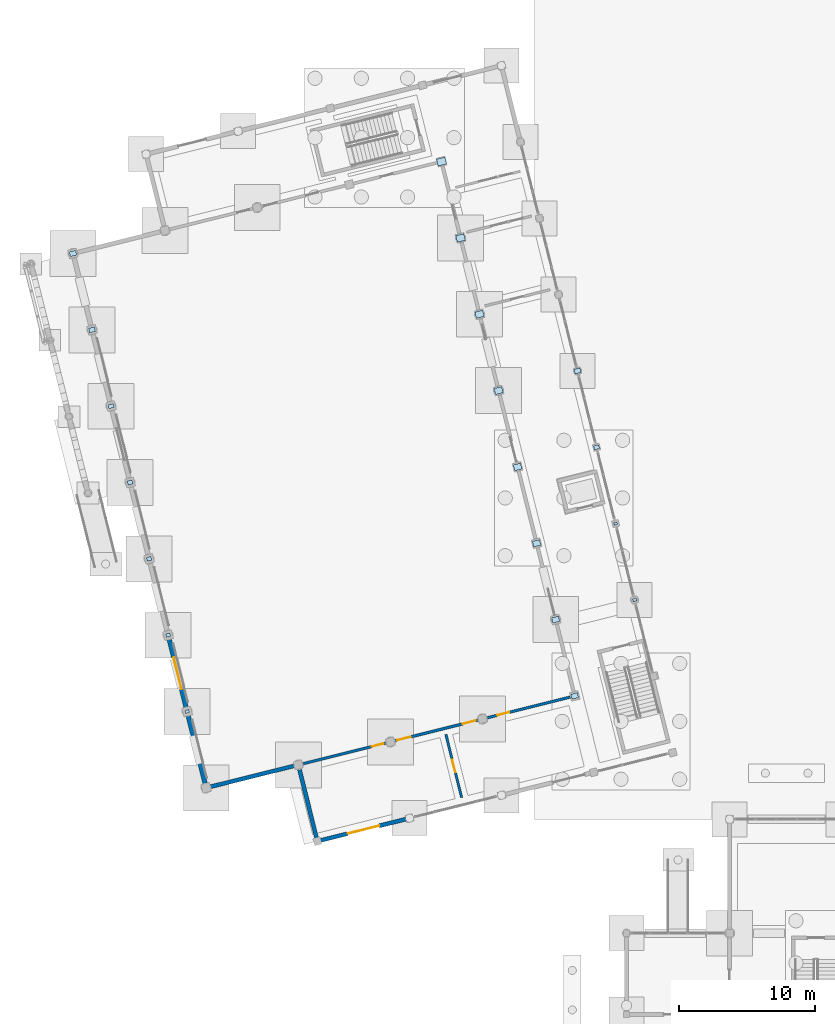
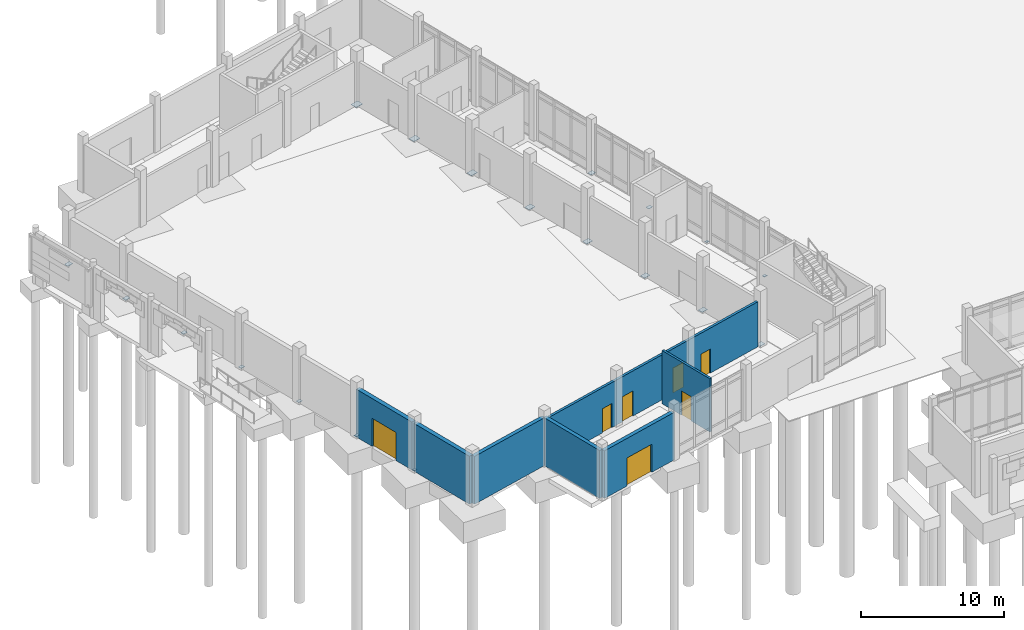
# One storey, part 41 of 72: 19 plates, 7 doors, 7 walls, 7 openings.
"""IFC4 building model written with IfcOpenShell, lengths in metres."""

import ifcopenshell
import ifcopenshell.guid

model = None  # the IFC model being written
_history = None  # IfcOwnerHistory: only IFC2X3 demands one
_inside = {}  # id of a spatial element -> (the spatial element, [elements in it])
_under = {}  # id of a project, library or spatial element -> (it, [spatial elements below it])
_declared = {}  # id of a project -> (the project, [libraries it declares])
_typed = {}  # id of a type object -> (the type object, [elements of that type])
_made_of = {}  # id of a material, layer set ... -> (it, [elements and type objects made of it])


def new_model(schema):
    """Start an empty IFC model of exactly this schema.

    Asked for "IFC4X3", IfcOpenShell would pick the latest addendum, in which some entities
    have other attributes; the version numbers below select the first issue.
    IFC2X3 requires an IfcOwnerHistory on every rooted entity: one is made here for all.
    """
    global model, _history
    if schema == "IFC4X3":
        model = ifcopenshell.file(schema_version=(4, 3, 0, 0))
    else:
        model = ifcopenshell.file(schema=schema)
    _inside.clear()
    _under.clear()
    _declared.clear()
    _typed.clear()
    _made_of.clear()
    _history = None
    if model.schema == "IFC2X3":
        org = make("IfcOrganization", Name="unknown")
        user = make(
            "IfcPersonAndOrganization",
            ThePerson=make("IfcPerson", FamilyName="unknown"),
            TheOrganization=org,
        )
        app = make(
            "IfcApplication",
            ApplicationDeveloper=org,
            Version="unknown",
            ApplicationFullName="unknown",
            ApplicationIdentifier="unknown",
        )
        _history = make(
            "IfcOwnerHistory",
            OwningUser=user,
            OwningApplication=app,
            ChangeAction="ADDED",
            CreationDate=0,
        )
    return model


def make(cls, **values):
    """One entity of the class cls with the attributes given. An attribute that is None is left unset."""
    return model.create_entity(
        cls, **{name: value for name, value in values.items() if value is not None}
    )


def rooted(cls, **values):
    """An entity with a GlobalId (a new one), such as an element, a storey or a relation."""
    return make(cls, GlobalId=ifcopenshell.guid.new(), OwnerHistory=_history, **values)


def si_unit(unit_type, name, prefix=None):
    """IfcSIUnit, for example si_unit("LENGTHUNIT", "METRE", prefix="MILLI")."""
    return make("IfcSIUnit", UnitType=unit_type, Prefix=prefix, Name=name)


def assignment(units):
    """IfcUnitAssignment: the units of a project."""
    return None if units is None else make("IfcUnitAssignment", Units=units)


def point(xyz):
    """IfcCartesianPoint."""
    return None if xyz is None else make("IfcCartesianPoint", Coordinates=xyz)


def direction(xyz):
    """IfcDirection."""
    return None if xyz is None else make("IfcDirection", DirectionRatios=xyz)


def frame(location, z_axis=None, x_axis=None):
    """IfcAxis2Placement3D, a coordinate frame: its origin and axes. An axis left out is left unset."""
    return make(
        "IfcAxis2Placement3D",
        Location=point(location),
        Axis=direction(z_axis),
        RefDirection=direction(x_axis),
    )


def frame_2d(location, x_axis=None):
    """IfcAxis2Placement2D, a coordinate frame in the plane: its origin and x axis."""
    return make(
        "IfcAxis2Placement2D", Location=point(location), RefDirection=direction(x_axis)
    )


def origin():
    """The frame at (0, 0, 0) with its axes left unset."""
    return frame((0.0, 0.0, 0.0))


def origin_2d():
    """The frame at (0, 0) in the plane with its x axis left unset."""
    return frame_2d((0.0, 0.0))


def place(relative_to, where):
    """IfcLocalPlacement: puts the frame where relative to a parent placement (None: the world)."""
    return make(
        "IfcLocalPlacement", PlacementRelTo=relative_to, RelativePlacement=where
    )


def context(
    kind, dimensions, precision=None, world=None, true_north=None, identifier=None
):
    """IfcGeometricRepresentationContext, for example the 3D "Model" context."""
    return make(
        "IfcGeometricRepresentationContext",
        ContextIdentifier=identifier,
        ContextType=kind,
        CoordinateSpaceDimension=dimensions,
        Precision=precision,
        WorldCoordinateSystem=world,
        TrueNorth=true_north,
    )


def subcontext(parent, identifier, kind, view, scale=None):
    """IfcGeometricRepresentationSubContext, for example "Body" below "Model"."""
    return make(
        "IfcGeometricRepresentationSubContext",
        ContextIdentifier=identifier,
        ContextType=kind,
        ParentContext=parent,
        TargetScale=scale,
        TargetView=view,
    )


def project(units=None, contexts=None):
    """IfcProject with its units and contexts."""
    return rooted(
        "IfcProject",
        Name="project",
        RepresentationContexts=contexts,
        UnitsInContext=assignment(units),
    )


def spatial(cls, under=None, at=None, **own):
    """A site, building, storey or space (cls), placed at a placement, below another one or the project."""
    s = rooted(cls, ObjectPlacement=at, **own)
    if under is not None:
        _under.setdefault(under.id(), (under, []))[1].append(s)
    return s


def profile(cls, at=None, kind="AREA", **sizes):
    """A parametric profile (cls). Its sizes go by their IFC names, for example OverallWidth=200.0."""
    return make(cls, ProfileType=kind, Position=at, **sizes)


def rectangle(**sizes):
    """IfcRectangleProfileDef."""
    return profile("IfcRectangleProfileDef", **sizes)


def extrude(swept, where, along, depth):
    """IfcExtrudedAreaSolid: the profile swept, set in the frame where, extruded along a direction by depth."""
    return make(
        "IfcExtrudedAreaSolid",
        SweptArea=swept,
        Position=where,
        ExtrudedDirection=direction(along),
        Depth=depth,
    )


def shape(context_of_items, identifier, shape_type, items):
    """IfcShapeRepresentation: the items that make up one representation, for example the "Body"."""
    return make(
        "IfcShapeRepresentation",
        ContextOfItems=context_of_items,
        RepresentationIdentifier=identifier,
        RepresentationType=shape_type,
        Items=items,
    )


def material(Name=None, Category=None):
    """IfcMaterial."""
    return make("IfcMaterial", Name=Name, Category=Category)


def layer(
    of_material, thickness, ventilated=None, Name=None, Category=None, Priority=None
):
    """IfcMaterialLayer: one layer of a wall or slab, of a material (None: an air gap)."""
    return make(
        "IfcMaterialLayer",
        Material=of_material,
        LayerThickness=thickness,
        IsVentilated=ventilated,
        Name=Name,
        Category=Category,
        Priority=Priority,
    )


def layer_set(layers, Name=None):
    """IfcMaterialLayerSet."""
    return make("IfcMaterialLayerSet", MaterialLayers=layers, LayerSetName=Name)


def made_of(thing, what):
    """Note that an element or type object is made of a material, layer set ...; save() writes the relation."""
    if what is not None:
        _made_of.setdefault(what.id(), (what, []))[1].append(thing)
    return thing


def type_object(cls, material=None, **own):
    """A type object (cls), such as IfcWallType, which elements share."""
    return made_of(rooted(cls, **own), material)


def element(
    cls,
    number,
    at=None,
    inside=None,
    cuts=None,
    type_object=None,
    material=None,
    context=None,
    identifier="Body",
    shape_type=None,
    held_by="IfcProductDefinitionShape",
    body=None,
    shapes=None,
    **own,
):
    """One element of the class cls, such as IfcWall. Its Tag is "e" and its number.

    at: its placement. inside: the storey or other place that contains it. cuts: it is an
    opening in that element (IfcRelVoidsElement). A single representation is given by context,
    identifier, shape_type and body (its items); several are given by shapes. held_by: the class
    of the entity that holds the representations. save() writes the other relations.
    """
    e = rooted(cls, Tag="e%d" % number, ObjectPlacement=at, **own)
    if body is not None:
        shapes = [shape(context, identifier, shape_type, body)]
    if shapes is not None:
        e.Representation = make(held_by, Representations=shapes)
    if inside is not None:
        _inside.setdefault(inside.id(), (inside, []))[1].append(e)
    if cuts is not None:
        rooted(
            "IfcRelVoidsElement", RelatingBuildingElement=cuts, RelatedOpeningElement=e
        )
    if type_object is not None:
        _typed.setdefault(type_object.id(), (type_object, []))[1].append(e)
    return made_of(e, material)


def fill(opening, filler):
    """IfcRelFillsElement: the door or window that sits in an opening."""
    return rooted(
        "IfcRelFillsElement",
        RelatingOpeningElement=opening,
        RelatedBuildingElement=filler,
    )


def aggregate(whole, parts):
    """IfcRelAggregates: a whole, such as a stair, and the parts it consists of."""
    return rooted("IfcRelAggregates", RelatingObject=whole, RelatedObjects=parts)


def save(model, path):
    """Write the relations noted so far, then the file.

    IfcRelAggregates (storeys below a building ...), IfcRelContainedInSpatialStructure (elements
    in a storey), IfcRelDefinesByType, IfcRelAssociatesMaterial and IfcRelDeclares: one each for
    every whole, place, type object, material and project.
    """
    for whole, parts in _under.values():
        aggregate(whole, parts)
    for where, things in _inside.values():
        rooted(
            "IfcRelContainedInSpatialStructure",
            RelatedElements=things,
            RelatingStructure=where,
        )
    for kind, things in _typed.values():
        rooted("IfcRelDefinesByType", RelatedObjects=things, RelatingType=kind)
    for what, things in _made_of.values():
        rooted("IfcRelAssociatesMaterial", RelatedObjects=things, RelatingMaterial=what)
    for by, libraries in _declared.values():
        rooted("IfcRelDeclares", RelatingContext=by, RelatedDefinitions=libraries)
    model.write(path)


model = new_model("IFC4")

# Units and contexts
model_context = context("Model", 3, precision=1e-05, world=origin(), true_north=direction((0.0, 1.0)))
body_context = subcontext(model_context, "Body", "Model", "MODEL_VIEW")
ifc_project = project(units=[si_unit("LENGTHUNIT", "METRE"), si_unit("AREAUNIT", "SQUARE_METRE"), si_unit("VOLUMEUNIT", "CUBIC_METRE"), si_unit("PLANEANGLEUNIT", "RADIAN"), si_unit("MASSUNIT", "GRAM", prefix="KILO")], contexts=[model_context])

# Site, building, storey
site_placement = place(None, origin())
site = spatial("IfcSite", under=ifc_project, at=site_placement, CompositionType="ELEMENT")
building_placement = place(site_placement, origin())
building = spatial("IfcBuilding", under=site, at=building_placement, Name="Cinderway Yard Community Centre", CompositionType="ELEMENT")
storey_placement = place(building_placement, origin())
storey = spatial("IfcBuildingStorey", under=building, at=storey_placement, Name="L00", CompositionType="ELEMENT", Elevation=0.0)

# Plates
ifc_material_1 = material(Name="Steel S355", Category="steel")
ifc_layer_1 = layer(ifc_material_1, 0.01611328125, Name="Steel S355")
ifc_layer_set_1 = layer_set([ifc_layer_1], Name="Steel S355")
plate_type_1 = type_object("IfcPlateType", Name="STR-PLT-BASE-01", PredefinedType="SHEET", material=ifc_layer_set_1)
plate_1_placement = place(storey_placement, frame((18.406005859375, 30.7451171875, 0.0068359375), z_axis=(0.0, 0.0, 1.0), x_axis=(0.970295726276, 0.2419218956, 0.0)))
element("IfcPlate", 1, at=plate_1_placement, inside=storey, type_object=plate_type_1, Name="Column base bearing plate 01", PredefinedType="SHEET", context=body_context, shape_type="SweptSolid", body=[
    extrude(rectangle(XDim=0.300048828125, YDim=0.239990234375, at=origin_2d()), origin(), (0.0, 0.0, 1.0), 0.01611328125),
])
ifc_layer_2 = layer(ifc_material_1, 0.01806640625, Name="Steel S355")
ifc_layer_set_2 = layer_set([ifc_layer_2], Name="Steel S355")
plate_type_2 = type_object("IfcPlateType", Name="STR-PLT-BASE-02", PredefinedType="SHEET", material=ifc_layer_set_2)
plate_2_placement = place(storey_placement, frame((17.0029296875, 36.3720703125, 0.005859375), z_axis=(0.0, 0.0, 1.0), x_axis=(0.970295726276, 0.2419218956, 0.0)))
element("IfcPlate", 2, at=plate_2_placement, inside=storey, type_object=plate_type_2, Name="Column base bearing plate 02", PredefinedType="SHEET", context=body_context, shape_type="SweptSolid", body=[
    extrude(rectangle(XDim=0.320068359375, YDim=0.260009765625, at=origin_2d()), origin(), (0.0, 0.0, 1.0), 0.01806640625),
])
ifc_layer_3 = layer(ifc_material_1, 0.02001953125, Name="Steel S355")
ifc_layer_set_3 = layer_set([ifc_layer_3], Name="Steel S355")
plate_type_3 = type_object("IfcPlateType", Name="STR-PLT-BASE-03", PredefinedType="SHEET", material=ifc_layer_set_3)
plate_3_placement = place(storey_placement, frame((15.60009765625, 42.0, 0.0048828125), z_axis=(0.0, 0.0, 1.0), x_axis=(0.970295726276, 0.2419218956, 0.0)))
element("IfcPlate", 3, at=plate_3_placement, inside=storey, type_object=plate_type_3, Name="Column base bearing plate 03", PredefinedType="SHEET", context=body_context, shape_type="SweptSolid", body=[
    extrude(rectangle(XDim=0.340087890625, YDim=0.280029296875, at=origin_2d()), origin(), (0.0, 0.0, 1.0), 0.02001953125),
])
ifc_layer_4 = layer(ifc_material_1, 0.02001953125, Name="Steel S355")
ifc_layer_set_4 = layer_set([ifc_layer_4], Name="Steel S355")
plate_type_4 = type_object("IfcPlateType", Name="STR-PLT-BASE-04", PredefinedType="SHEET", material=ifc_layer_set_4)
plate_4_placement = place(storey_placement, frame((14.197021484375, 47.6279296875, 0.0048828125), z_axis=(0.0, 0.0, 1.0), x_axis=(0.970295726276, 0.2419218956, 0.0)))
element("IfcPlate", 4, at=plate_4_placement, inside=storey, type_object=plate_type_4, Name="Column base bearing plate 04", PredefinedType="SHEET", context=body_context, shape_type="SweptSolid", body=[
    extrude(rectangle(XDim=0.360107421875, YDim=0.300048828125, at=origin_2d()), origin(), (0.0, 0.0, 1.0), 0.02001953125),
])
ifc_layer_5 = layer(ifc_material_1, 0.02197265625, Name="Steel S355")
ifc_layer_set_5 = layer_set([ifc_layer_5], Name="Steel S355")
plate_type_5 = type_object("IfcPlateType", Name="STR-PLT-BASE-05", PredefinedType="SHEET", material=ifc_layer_set_5)
plate_5_placement = place(storey_placement, frame((12.7939453125, 53.2548828125, 0.00390625), z_axis=(0.0, 0.0, 1.0), x_axis=(0.970295726276, 0.2419218956, 0.0)))
element("IfcPlate", 5, at=plate_5_placement, inside=storey, type_object=plate_type_5, Name="Column base bearing plate 05", PredefinedType="SHEET", context=body_context, shape_type="SweptSolid", body=[
    extrude(rectangle(XDim=0.39990234375, YDim=0.300048828125, at=origin_2d()), origin(), (0.0, 0.0, 1.0), 0.02197265625),
])
ifc_layer_6 = layer(ifc_material_1, 0.02392578125, Name="Steel S355")
ifc_layer_set_6 = layer_set([ifc_layer_6], Name="Steel S355")
plate_type_6 = type_object("IfcPlateType", Name="STR-PLT-BASE-06", PredefinedType="SHEET", material=ifc_layer_set_6)
plate_6_placement = place(storey_placement, frame((11.39111328125, 58.883056640625, 0.0029296875), z_axis=(0.0, 0.0, 1.0), x_axis=(0.970295726276, 0.2419218956, 0.0)))
element("IfcPlate", 6, at=plate_6_placement, inside=storey, type_object=plate_type_6, Name="Column base bearing plate 06", PredefinedType="SHEET", context=body_context, shape_type="SweptSolid", body=[
    extrude(rectangle(XDim=0.43994140625, YDim=0.340087890625, at=origin_2d()), origin(), (0.0, 0.0, 1.0), 0.02392578125),
])
ifc_layer_7 = layer(ifc_material_1, 0.02490234375, Name="Steel S355")
ifc_layer_set_7 = layer_set([ifc_layer_7], Name="Steel S355")
plate_type_7 = type_object("IfcPlateType", Name="STR-PLT-BASE-07", PredefinedType="SHEET", material=ifc_layer_set_7)
plate_7_placement = place(storey_placement, frame((9.987060546875, 64.510986328125, 0.00244140625), z_axis=(0.0, 0.0, 1.0), x_axis=(0.970295726276, 0.2419218956, 0.0)))
element("IfcPlate", 7, at=plate_7_placement, inside=storey, type_object=plate_type_7, Name="Column base bearing plate 07", PredefinedType="SHEET", context=body_context, shape_type="SweptSolid", body=[
    extrude(rectangle(XDim=0.47998046875, YDim=0.360107421875, at=origin_2d()), origin(), (0.0, 0.0, 1.0), 0.02490234375),
])
ifc_layer_8 = layer(ifc_material_1, 0.02587890625, Name="Steel S355")
ifc_layer_set_8 = layer_set([ifc_layer_8], Name="Steel S355")
plate_type_8 = type_object("IfcPlateType", Name="STR-PLT-BASE-08", PredefinedType="SHEET", material=ifc_layer_set_8)
plate_8_placement = place(storey_placement, frame((46.97802734375, 31.89111328125, 0.001953125), z_axis=(0.0, 0.0, 1.0), x_axis=(0.970295726276, 0.2419218956, 0.0)))
element("IfcPlate", 8, at=plate_8_placement, inside=storey, type_object=plate_type_8, Name="Column base bearing plate 08", PredefinedType="SHEET", context=body_context, shape_type="SweptSolid", body=[
    extrude(rectangle(XDim=0.5, YDim=0.3798828125, at=origin_2d()), origin(), (0.0, 0.0, 1.0), 0.02587890625),
])
ifc_layer_9 = layer(ifc_material_1, 0.028076171875, Name="Steel S355")
ifc_layer_set_9 = layer_set([ifc_layer_9], Name="Steel S355")
plate_type_9 = type_object("IfcPlateType", Name="STR-PLT-BASE-09", PredefinedType="SHEET", material=ifc_layer_set_9)
plate_9_placement = place(storey_placement, frame((45.574951171875, 37.51806640625, 0.0009765625), z_axis=(0.0, 0.0, 1.0), x_axis=(0.970295726276, 0.2419218956, 0.0)))
element("IfcPlate", 9, at=plate_9_placement, inside=storey, type_object=plate_type_9, Name="Column base bearing plate 09", PredefinedType="SHEET", context=body_context, shape_type="SweptSolid", body=[
    extrude(rectangle(XDim=0.52001953125, YDim=0.39990234375, at=origin_2d()), origin(), (0.0, 0.0, 1.0), 0.028076171875),
])
ifc_layer_10 = layer(ifc_material_1, 0.028076171875, Name="Steel S355")
ifc_layer_set_10 = layer_set([ifc_layer_10], Name="Steel S355")
plate_type_10 = type_object("IfcPlateType", Name="STR-PLT-BASE-10", PredefinedType="SHEET", material=ifc_layer_set_10)
plate_10_placement = place(storey_placement, frame((44.1708984375, 43.14599609375, 0.0009765625), z_axis=(0.0, 0.0, 1.0), x_axis=(0.970295726276, 0.2419218956, 0.0)))
element("IfcPlate", 10, at=plate_10_placement, inside=storey, type_object=plate_type_10, Name="Column base bearing plate 10", PredefinedType="SHEET", context=body_context, shape_type="SweptSolid", body=[
    extrude(rectangle(XDim=0.5400390625, YDim=0.419921875, at=origin_2d()), origin(), (0.0, 0.0, 1.0), 0.028076171875),
])
ifc_layer_11 = layer(ifc_material_1, 0.030029296875, Name="Steel S355")
ifc_layer_set_11 = layer_set([ifc_layer_11], Name="Steel S355")
plate_type_11 = type_object("IfcPlateType", Name="STR-PLT-BASE-11", PredefinedType="SHEET", material=ifc_layer_set_11)
plate_11_placement = place(storey_placement, frame((42.76806640625, 48.77392578125, 0.0), z_axis=(0.0, 0.0, 1.0), x_axis=(0.970295726276, 0.2419218956, 0.0)))
element("IfcPlate", 11, at=plate_11_placement, inside=storey, type_object=plate_type_11, Name="Column base bearing plate 11", PredefinedType="SHEET", context=body_context, shape_type="SweptSolid", body=[
    extrude(rectangle(XDim=0.56005859375, YDim=0.43994140625, at=origin_2d()), origin(), (0.0, 0.0, 1.0), 0.030029296875),
])
ifc_layer_12 = layer(ifc_material_1, 0.030029296875, Name="Steel S355")
ifc_layer_set_12 = layer_set([ifc_layer_12], Name="Steel S355")
plate_type_12 = type_object("IfcPlateType", Name="STR-PLT-BASE-12", PredefinedType="SHEET", material=ifc_layer_set_12)
plate_12_placement = place(storey_placement, frame((41.364990234375, 54.402099609375, 0.0), z_axis=(0.0, 0.0, 1.0), x_axis=(0.970295726276, 0.2419218956, 0.0)))
element("IfcPlate", 12, at=plate_12_placement, inside=storey, type_object=plate_type_12, Name="Column base bearing plate 12", PredefinedType="SHEET", context=body_context, shape_type="SweptSolid", body=[
    extrude(rectangle(XDim=0.580078125, YDim=0.4599609375, at=origin_2d()), origin(), (0.0, 0.0, 1.0), 0.030029296875),
])
ifc_layer_13 = layer(ifc_material_1, 0.031982421875, Name="Steel S355")
ifc_layer_set_13 = layer_set([ifc_layer_13], Name="Steel S355")
plate_type_13 = type_object("IfcPlateType", Name="STR-PLT-BASE-13", PredefinedType="SHEET", material=ifc_layer_set_13)
plate_13_placement = place(storey_placement, frame((39.9619140625, 60.029052734375, -0.0009765625), z_axis=(0.0, 0.0, 1.0), x_axis=(0.970295726276, 0.2419218956, 0.0)))
element("IfcPlate", 13, at=plate_13_placement, inside=storey, type_object=plate_type_13, Name="Column base bearing plate 13", PredefinedType="SHEET", context=body_context, shape_type="SweptSolid", body=[
    extrude(rectangle(XDim=0.60009765625, YDim=0.47998046875, at=origin_2d()), origin(), (0.0, 0.0, 1.0), 0.031982421875),
])
ifc_layer_14 = layer(ifc_material_1, 0.031982421875, Name="Steel S355")
ifc_layer_set_14 = layer_set([ifc_layer_14], Name="Steel S355")
plate_type_14 = type_object("IfcPlateType", Name="STR-PLT-BASE-14", PredefinedType="SHEET", material=ifc_layer_set_14)
plate_14_placement = place(storey_placement, frame((38.55908203125, 65.656982421875, -0.0009765625), z_axis=(0.0, 0.0, 1.0), x_axis=(0.970295726276, 0.2419218956, 0.0)))
element("IfcPlate", 14, at=plate_14_placement, inside=storey, type_object=plate_type_14, Name="Column base bearing plate 14", PredefinedType="SHEET", context=body_context, shape_type="SweptSolid", body=[
    extrude(rectangle(XDim=0.6201171875, YDim=0.5, at=origin_2d()), origin(), (0.0, 0.0, 1.0), 0.031982421875),
])
ifc_layer_15 = layer(ifc_material_1, 0.034912109375, Name="Steel S355")
ifc_layer_set_15 = layer_set([ifc_layer_15], Name="Steel S355")
plate_type_15 = type_object("IfcPlateType", Name="STR-PLT-BASE-15", PredefinedType="SHEET", material=ifc_layer_set_15)
plate_15_placement = place(storey_placement, frame((37.156005859375, 71.284912109375, -0.00244140625), z_axis=(0.0, 0.0, 1.0), x_axis=(0.970295726276, 0.2419218956, 0.0)))
element("IfcPlate", 15, at=plate_15_placement, inside=storey, type_object=plate_type_15, Name="Column base bearing plate 15", PredefinedType="SHEET", context=body_context, shape_type="SweptSolid", body=[
    extrude(rectangle(XDim=0.639892578125, YDim=0.52001953125, at=origin_2d()), origin(), (0.0, 0.0, 1.0), 0.034912109375),
])
ifc_layer_16 = layer(ifc_material_1, 0.01611328125, Name="Steel S355")
ifc_layer_set_16 = layer_set([ifc_layer_16], Name="Steel S355")
plate_type_16 = type_object("IfcPlateType", Name="STR-PLT-BASE-17", PredefinedType="SHEET", material=ifc_layer_set_16)
plate_16_placement = place(storey_placement, frame((51.39599609375, 38.969970703125, 0.0068359375), z_axis=(0.0, 0.0, 1.0), x_axis=(0.970295726276, 0.2419218956, 0.0)))
element("IfcPlate", 16, at=plate_16_placement, inside=storey, type_object=plate_type_16, Name="Column base bearing plate 17", PredefinedType="SHEET", context=body_context, shape_type="SweptSolid", body=[
    extrude(rectangle(XDim=0.280029296875, YDim=0.219970703125, at=origin_2d()), origin(), (0.0, 0.0, 1.0), 0.01611328125),
])
ifc_layer_17 = layer(ifc_material_1, 0.01611328125, Name="Steel S355")
ifc_layer_set_17 = layer_set([ifc_layer_17], Name="Steel S355")
plate_type_17 = type_object("IfcPlateType", Name="STR-PLT-BASE-18", PredefinedType="SHEET", material=ifc_layer_set_17)
plate_17_placement = place(storey_placement, frame((49.992919921875, 44.597900390625, 0.0068359375), z_axis=(0.0, 0.0, 1.0), x_axis=(0.970295726276, 0.2419218956, 0.0)))
element("IfcPlate", 17, at=plate_17_placement, inside=storey, type_object=plate_type_17, Name="Column base bearing plate 18", PredefinedType="SHEET", context=body_context, shape_type="SweptSolid", body=[
    extrude(rectangle(XDim=0.260009765625, YDim=0.199951171875, at=origin_2d()), origin(), (0.0, 0.0, 1.0), 0.01611328125),
])
ifc_layer_18 = layer(ifc_material_1, 0.02197265625, Name="Steel S355")
ifc_layer_set_18 = layer_set([ifc_layer_18], Name="Steel S355")
plate_type_18 = type_object("IfcPlateType", Name="STR-PLT-BASE-19", PredefinedType="SHEET", material=ifc_layer_set_18)
plate_18_placement = place(storey_placement, frame((48.590087890625, 50.22509765625, 0.00390625), z_axis=(0.0, 0.0, 1.0), x_axis=(0.970295726276, 0.2419218956, 0.0)))
element("IfcPlate", 18, at=plate_18_placement, inside=storey, type_object=plate_type_18, Name="Column base bearing plate 19", PredefinedType="SHEET", context=body_context, shape_type="SweptSolid", body=[
    extrude(rectangle(XDim=0.389892578125, YDim=0.2900390625, at=origin_2d()), origin(), (0.0, 0.0, 1.0), 0.02197265625),
])
ifc_layer_19 = layer(ifc_material_1, 0.02490234375, Name="Steel S355")
ifc_layer_set_19 = layer_set([ifc_layer_19], Name="Steel S355")
plate_type_19 = type_object("IfcPlateType", Name="STR-PLT-BASE-20", PredefinedType="SHEET", material=ifc_layer_set_19)
plate_19_placement = place(storey_placement, frame((47.18701171875, 55.85302734375, 0.00244140625), z_axis=(0.0, 0.0, 1.0), x_axis=(0.970295726276, 0.2419218956, 0.0)))
element("IfcPlate", 19, at=plate_19_placement, inside=storey, type_object=plate_type_19, Name="Column base bearing plate 20", PredefinedType="SHEET", context=body_context, shape_type="SweptSolid", body=[
    extrude(rectangle(XDim=0.449951171875, YDim=0.35009765625, at=origin_2d()), origin(), (0.0, 0.0, 1.0), 0.02490234375),
])

# Wall, opening, door
ifc_material_2 = material(Name="Brick Masonry", Category="masonry")
ifc_layer_20 = layer(ifc_material_2, 0.300048828125, Name="Brick Masonry")
ifc_layer_set_20 = layer_set([ifc_layer_20], Name="Brick Masonry")
wall_type_1 = type_object("IfcWallType", Name="ENV-WAL-EXT300", PredefinedType="SOLIDWALL", material=ifc_layer_set_20)
wall_1_placement = place(storey_placement, frame((28.10205078125, 21.20703125, 0.0), z_axis=(0.0, 0.0, 1.0), x_axis=(0.970296478685, 0.241918877831, 0.0)))
wall_1 = element("IfcWall", 20, at=wall_1_placement, inside=storey, type_object=wall_type_1, Name="Sanctuary South Brick Wall ENV-WAL-L00-0008", PredefinedType="SOLIDWALL", context=body_context, shape_type="SweptSolid", body=[
    extrude(rectangle(XDim=6.7998046875, YDim=0.300048828125, at=frame_2d((3.39990234375, 0.0))), origin(), (0.0, 0.0, 1.0), 4.06494140625),
])
opening_1_placement = place(wall_1_placement, frame((2.199951171875, 0.0, 0.0)))
opening_1 = element("IfcOpeningElement", 21, at=opening_1_placement, cuts=wall_1, Name="Opening D-EX1", PredefinedType="OPENING", context=body_context, shape_type="SweptSolid", body=[
    extrude(rectangle(XDim=2.39990234375, YDim=2.39990234375, at=frame_2d((1.199951171875, 1.199951171875))), frame((0.0, 0.159912109375, 0.0), z_axis=(0.0, -1.0, 0.0), x_axis=(1.0, 0.0, 0.0)), (0.0, 0.0, 1.0), 0.320068359375),
])
ifc_material_3 = material(Name="Aluminium 6063-T6", Category="aluminium")
door_type_1 = type_object("IfcDoorType", Name="INT-DOR-EXT240", OperationType="DOUBLE_DOOR_SINGLE_SWING", PredefinedType="DOOR", material=ifc_material_3)
door_1_placement = place(opening_1_placement, origin())
door_1 = element("IfcDoor", 22, at=door_1_placement, inside=storey, type_object=door_type_1, Name="Sanctuary South Exit EXT-DOR-L00-0062", OperationType="DOUBLE_DOOR_SINGLE_SWING", OverallHeight=2.39990234375, OverallWidth=2.39990234375, PredefinedType="DOOR", context=body_context, shape_type="SweptSolid", body=[
    extrude(rectangle(XDim=2.39990234375, YDim=2.39990234375, at=frame_2d((1.199951171875, 1.199951171875))), frame((0.0, 0.02490234375, 0.0), z_axis=(0.0, -1.0, 0.0), x_axis=(1.0, 0.0, 0.0)), (0.0, 0.0, 1.0), 0.050048828125),
])
fill(opening_1, door_1)

# Walls
wall_2_placement = place(storey_placement, frame((27.986083984375, 21.260986328125, 0.0), z_axis=(0.0, 0.0, 1.0), x_axis=(-0.242077152267, 0.970257003247, 0.0)))
element("IfcWall", 23, at=wall_2_placement, inside=storey, type_object=wall_type_1, Name="Sanctuary West Return ENV-WAL-L00-0010", PredefinedType="SOLIDWALL", context=body_context, shape_type="SweptSolid", body=[
    extrude(rectangle(XDim=5.638671875, YDim=0.300048828125, at=frame_2d((2.8193359375, 0.0))), origin(), (0.0, 0.0, 1.0), 4.094970703125),
])
wall_3_placement = place(storey_placement, frame((19.886962890625, 25.135986328125, 0.0), z_axis=(0.0, 0.0, 1.0), x_axis=(0.970287194641, 0.241956111549, 0.0)))
element("IfcWall", 24, at=wall_3_placement, inside=storey, type_object=wall_type_1, Name="Main Hall SW Return ENV-WAL-L00-0011", PredefinedType="SOLIDWALL", context=body_context, shape_type="SweptSolid", body=[
    extrude(rectangle(XDim=6.840087890625, YDim=0.300048828125, at=frame_2d((3.419921875, 0.0))), origin(), (0.0, 0.0, 1.0), 4.0849609375),
])
ifc_layer_21 = layer(ifc_material_2, 0.340087890625, Name="Brick Masonry")
ifc_layer_set_21 = layer_set([ifc_layer_21], Name="Brick Masonry")
wall_type_2 = type_object("IfcWallType", Name="ENV-WAL-EXT340", PredefinedType="SOLIDWALL", material=ifc_layer_set_21)
wall_4_placement = place(storey_placement, frame((19.784912109375, 25.214111328125, 0.0), z_axis=(0.0, 0.0, 1.0), x_axis=(-0.241950898373, 0.970288494612, 0.0)))
element("IfcWall", 25, at=wall_4_placement, inside=storey, type_object=wall_type_2, Name="Main Hall West Brick Wall ENV-WAL-L00-0001", PredefinedType="SOLIDWALL", context=body_context, shape_type="SweptSolid", body=[
    extrude(rectangle(XDim=5.600341796875, YDim=0.340087890625, at=frame_2d((2.80029296875, 0.0))), origin(), (0.0, 0.0, 1.0), 4.0849609375),
])

# Wall, opening, door
wall_5_placement = place(storey_placement, frame((18.382080078125, 30.842041015625, 0.0), z_axis=(0.0, 0.0, 1.0), x_axis=(-0.241991842685, 0.970278283831, 0.0)))
wall_5 = element("IfcWall", 26, at=wall_5_placement, inside=storey, type_object=wall_type_2, Name="Main Hall West Brick Wall ENV-WAL-L00-0002", PredefinedType="SOLIDWALL", context=body_context, shape_type="SweptSolid", body=[
    extrude(rectangle(XDim=5.599365234375, YDim=0.340087890625, at=frame_2d((2.7998046875, 0.0))), origin(), (0.0, 0.0, 1.0), 4.0849609375),
])
opening_2_placement = place(wall_5_placement, frame((1.59912109375, 0.0, 0.0)))
opening_2 = element("IfcOpeningElement", 27, at=opening_2_placement, cuts=wall_5, Name="Opening D-EX1", PredefinedType="OPENING", context=body_context, shape_type="SweptSolid", body=[
    extrude(rectangle(XDim=2.39990234375, YDim=2.39990234375, at=frame_2d((1.199951171875, 1.199951171875))), frame((0.0, 0.179931640625, 0.0), z_axis=(0.0, -1.0, 0.0), x_axis=(1.0, 0.0, 0.0)), (0.0, 0.0, 1.0), 0.360107421875),
])
door_2_placement = place(opening_2_placement, origin())
door_2 = element("IfcDoor", 28, at=door_2_placement, inside=storey, type_object=door_type_1, Name="Main Hall West Exit A EXT-DOR-L00-0064", OperationType="DOUBLE_DOOR_SINGLE_SWING", OverallHeight=2.39990234375, OverallWidth=2.39990234375, PredefinedType="DOOR", context=body_context, shape_type="SweptSolid", body=[
    extrude(rectangle(XDim=2.39990234375, YDim=2.39990234375, at=frame_2d((1.199951171875, 1.199951171875))), frame((0.0, 0.02490234375, 0.0), z_axis=(0.0, -1.0, 0.0), x_axis=(1.0, 0.0, 0.0)), (0.0, 0.0, 1.0), 0.050048828125),
])
fill(opening_2, door_2)

ifc_layer_22 = layer(ifc_material_2, 0.179931640625, Name="Brick Masonry")
ifc_layer_set_22 = layer_set([ifc_layer_22], Name="Brick Masonry")
wall_type_3 = type_object("IfcWallType", Name="INT-WAL-PRT180", PredefinedType="PARTITIONING", material=ifc_layer_set_22)
wall_6_placement = place(storey_placement, frame((38.64208984375, 24.402099609375, 0.0), z_axis=(0.0, 0.0, 1.0), x_axis=(-0.241925168697, 0.970294910195, 0.0)))
wall_6 = element("IfcWall", 29, at=wall_6_placement, inside=storey, type_object=wall_type_3, Name="Sanctuary Prayer Divider INT-PRT-L00-0239", PredefinedType="PARTITIONING", context=body_context, shape_type="SweptSolid", body=[
    extrude(rectangle(XDim=4.799560546875, YDim=0.179931640625, at=frame_2d((2.39990234375, 0.0))), origin(), (0.0, 0.0, 1.0), 4.544921875),
])
opening_3_placement = place(wall_6_placement, frame((1.919921875, 0.0, 0.0)))
opening_3 = element("IfcOpeningElement", 30, at=opening_3_placement, cuts=wall_6, Name="Opening D-09", PredefinedType="OPENING", context=body_context, shape_type="SweptSolid", body=[
    extrude(rectangle(XDim=0.9599609375, YDim=2.080078125, at=frame_2d((0.47998046875, 1.0400390625))), frame((0.0, 0.099853515625, 0.0), z_axis=(0.0, -1.0, 0.0), x_axis=(1.0, 0.0, 0.0)), (0.0, 0.0, 1.0), 0.199951171875),
])
ifc_material_4 = material(Name="Hardwood Timber", Category="wood")
door_type_2 = type_object("IfcDoorType", Name="INT-DOR-SAN096", OperationType="NOTDEFINED", PredefinedType="DOOR", material=ifc_material_4)
door_3_placement = place(opening_3_placement, origin())
door_3 = element("IfcDoor", 31, at=door_3_placement, inside=storey, type_object=door_type_2, Name="Room door INT-DOR-L00-0104", OperationType="SINGLE_SWING_LEFT", OverallHeight=2.080078125, OverallWidth=0.9599609375, PredefinedType="DOOR", context=body_context, shape_type="SweptSolid", body=[
    extrude(rectangle(XDim=0.9599609375, YDim=2.080078125, at=frame_2d((0.47998046875, 1.0400390625))), frame((0.0, 0.02490234375, 0.0), z_axis=(0.0, -1.0, 0.0), x_axis=(1.0, 0.0, 0.0)), (0.0, 0.0, 1.0), 0.050048828125),
])
fill(opening_3, door_3)

# Wall, openings, doors
ifc_layer_23 = layer(ifc_material_2, 0.199951171875, Name="Brick Masonry")
ifc_layer_set_23 = layer_set([ifc_layer_23], Name="Brick Masonry")
wall_type_4 = type_object("IfcWallType", Name="INT-WAL-PRT200", PredefinedType="PARTITIONING", material=ifc_layer_set_23)
wall_7_placement = place(storey_placement, frame((26.94189453125, 26.89501953125, 0.0), z_axis=(0.0, 0.0, 1.0), x_axis=(0.970294418067, 0.241927142478, 0.0)))
wall_7 = element("IfcWall", 32, at=wall_7_placement, inside=storey, type_object=wall_type_4, Name="Sanctuary Hall Wall INT-PRT-L00-0237", PredefinedType="PARTITIONING", context=body_context, shape_type="SweptSolid", body=[
    extrude(rectangle(XDim=20.299072265625, YDim=0.199951171875, at=frame_2d((10.1494140625, 0.0))), origin(), (0.0, 0.0, 1.0), 3.844970703125),
])
opening_4_placement = place(wall_7_placement, frame((7.166015625, 0.0, 0.0)))
opening_4 = element("IfcOpeningElement", 33, at=opening_4_placement, cuts=wall_7, Name="Opening D-05", PredefinedType="OPENING", context=body_context, shape_type="SweptSolid", body=[
    extrude(rectangle(XDim=1.0, YDim=2.139892578125, at=frame_2d((0.5, 1.06982421875))), frame((0.0, 0.10986328125, 0.0), z_axis=(0.0, -1.0, 0.0), x_axis=(1.0, 0.0, 0.0)), (0.0, 0.0, 1.0), 0.219970703125),
])
opening_5_placement = place(wall_7_placement, frame((12.14306640625, 0.0, 0.0)))
opening_5 = element("IfcOpeningElement", 34, at=opening_5_placement, cuts=wall_7, Name="Opening D-06", PredefinedType="OPENING", context=body_context, shape_type="SweptSolid", body=[
    extrude(rectangle(XDim=0.97998046875, YDim=2.1201171875, at=frame_2d((0.489990234375, 1.06005859375))), frame((0.0, 0.10986328125, 0.0), z_axis=(0.0, -1.0, 0.0), x_axis=(1.0, 0.0, 0.0)), (0.0, 0.0, 1.0), 0.219970703125),
])
opening_6_placement = place(wall_7_placement, frame((5.218994140625, 0.0, 0.0)))
opening_6 = element("IfcOpeningElement", 35, at=opening_6_placement, cuts=wall_7, Name="Opening D-10", PredefinedType="OPENING", context=body_context, shape_type="SweptSolid", body=[
    extrude(rectangle(XDim=0.89990234375, YDim=2.06005859375, at=frame_2d((0.449951171875, 1.030029296875))), frame((0.0, 0.10986328125, 0.0), z_axis=(0.0, -1.0, 0.0), x_axis=(1.0, 0.0, 0.0)), (0.0, 0.0, 1.0), 0.219970703125),
])
opening_7_placement = place(wall_7_placement, frame((14.779052734375, 0.0, 0.0)))
opening_7 = element("IfcOpeningElement", 36, at=opening_7_placement, cuts=wall_7, Name="Opening D-10", PredefinedType="OPENING", context=body_context, shape_type="SweptSolid", body=[
    extrude(rectangle(XDim=0.89990234375, YDim=2.06005859375, at=frame_2d((0.449951171875, 1.030029296875))), frame((0.0, 0.10986328125, 0.0), z_axis=(0.0, -1.0, 0.0), x_axis=(1.0, 0.0, 0.0)), (0.0, 0.0, 1.0), 0.219970703125),
])
door_type_3 = type_object("IfcDoorType", Name="INT-DOR-CLS100", OperationType="NOTDEFINED", PredefinedType="DOOR", material=ifc_material_4)
door_4_placement = place(opening_4_placement, origin())
door_4 = element("IfcDoor", 37, at=door_4_placement, inside=storey, type_object=door_type_3, Name="Room door INT-DOR-L00-0100", OperationType="SINGLE_SWING_LEFT", OverallHeight=2.139892578125, OverallWidth=1.0, PredefinedType="DOOR", context=body_context, shape_type="SweptSolid", body=[
    extrude(rectangle(XDim=1.0, YDim=2.139892578125, at=frame_2d((0.5, 1.06982421875))), frame((0.0, 0.02490234375, 0.0), z_axis=(0.0, -1.0, 0.0), x_axis=(1.0, 0.0, 0.0)), (0.0, 0.0, 1.0), 0.050048828125),
])
fill(opening_4, door_4)
door_type_4 = type_object("IfcDoorType", Name="INT-DOR-OFF098", OperationType="NOTDEFINED", PredefinedType="DOOR", material=ifc_material_4)
door_5_placement = place(opening_5_placement, origin())
door_5 = element("IfcDoor", 38, at=door_5_placement, inside=storey, type_object=door_type_4, Name="Room door INT-DOR-L00-0101", OperationType="SINGLE_SWING_RIGHT", OverallHeight=2.1201171875, OverallWidth=0.97998046875, PredefinedType="DOOR", context=body_context, shape_type="SweptSolid", body=[
    extrude(rectangle(XDim=0.97998046875, YDim=2.1201171875, at=frame_2d((0.489990234375, 1.06005859375))), frame((0.0, 0.02490234375, 0.0), z_axis=(0.0, -1.0, 0.0), x_axis=(1.0, 0.0, 0.0)), (0.0, 0.0, 1.0), 0.050048828125),
])
fill(opening_5, door_5)
door_type_5 = type_object("IfcDoorType", Name="INT-DOR-SAN090", OperationType="NOTDEFINED", PredefinedType="DOOR", material=ifc_material_4)
door_6_placement = place(opening_6_placement, origin())
door_6 = element("IfcDoor", 39, at=door_6_placement, inside=storey, type_object=door_type_5, Name="Interfaith Sanctuary Door INT-DOR-L00-0283", OperationType="SINGLE_SWING_LEFT", OverallHeight=2.06005859375, OverallWidth=0.89990234375, PredefinedType="DOOR", context=body_context, shape_type="SweptSolid", body=[
    extrude(rectangle(XDim=0.89990234375, YDim=2.06005859375, at=frame_2d((0.449951171875, 1.030029296875))), frame((0.0, 0.02490234375, 0.0), z_axis=(0.0, -1.0, 0.0), x_axis=(1.0, 0.0, 0.0)), (0.0, 0.0, 1.0), 0.050048828125),
])
fill(opening_6, door_6)
door_7_placement = place(opening_7_placement, origin())
door_7 = element("IfcDoor", 40, at=door_7_placement, inside=storey, type_object=door_type_5, Name="Prayer Hall Door INT-DOR-L00-0284", OperationType="SINGLE_SWING_RIGHT", OverallHeight=2.06005859375, OverallWidth=0.89990234375, PredefinedType="DOOR", context=body_context, shape_type="SweptSolid", body=[
    extrude(rectangle(XDim=0.89990234375, YDim=2.06005859375, at=frame_2d((0.449951171875, 1.030029296875))), frame((0.0, 0.02490234375, 0.0), z_axis=(0.0, -1.0, 0.0), x_axis=(1.0, 0.0, 0.0)), (0.0, 0.0, 1.0), 0.050048828125),
])
fill(opening_7, door_7)

save(model, "model.ifc")
